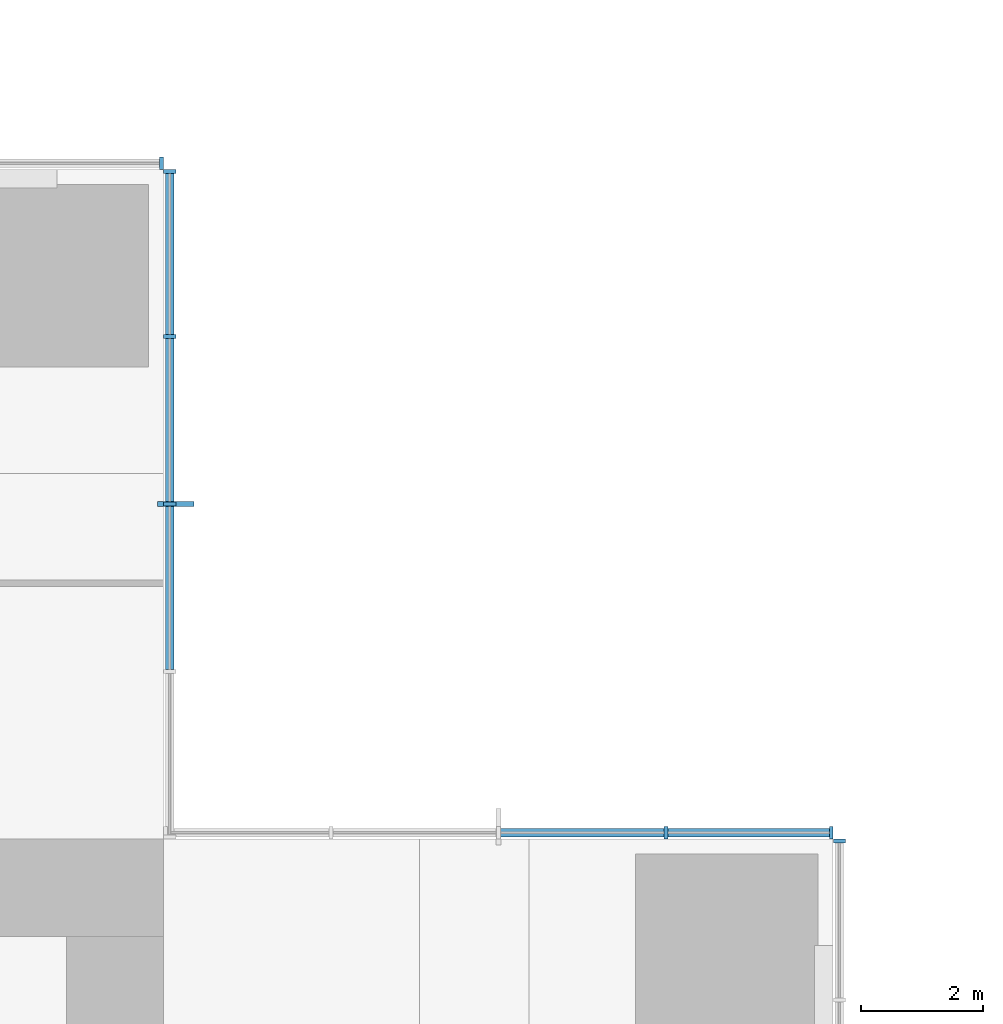
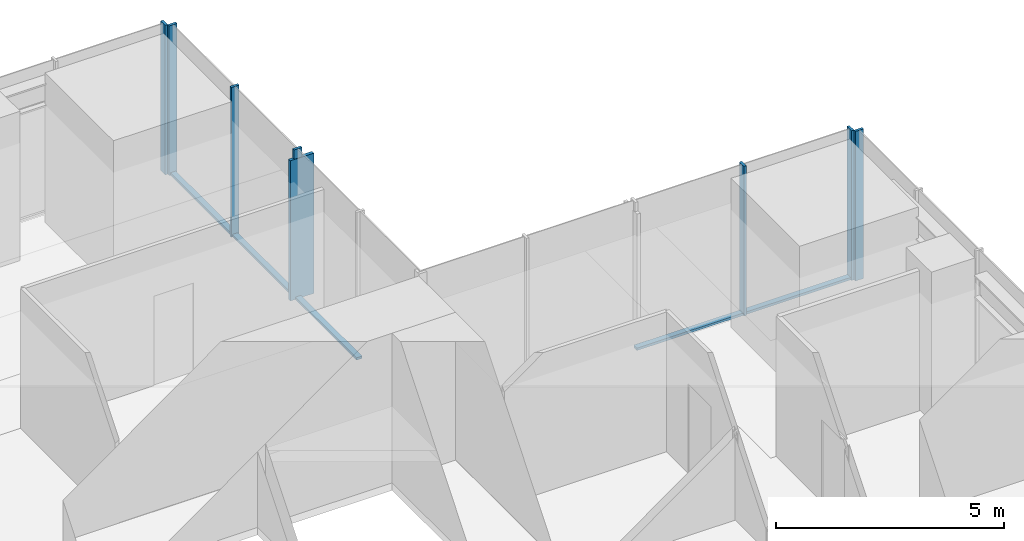
# One storey, part 6 of 13: 13 members, 4 elements without a shape of their own.
"""IFC4 building model written with IfcOpenShell, lengths in metres."""

import ifcopenshell
import ifcopenshell.guid

model = None  # the IFC model being written
_history = None  # IfcOwnerHistory: only IFC2X3 demands one
_inside = {}  # id of a spatial element -> (the spatial element, [elements in it])
_under = {}  # id of a project, library or spatial element -> (it, [spatial elements below it])
_declared = {}  # id of a project -> (the project, [libraries it declares])
_typed = {}  # id of a type object -> (the type object, [elements of that type])
_made_of = {}  # id of a material, layer set ... -> (it, [elements and type objects made of it])


def new_model(schema):
    """Start an empty IFC model of exactly this schema.

    Asked for "IFC4X3", IfcOpenShell would pick the latest addendum, in which some entities
    have other attributes; the version numbers below select the first issue.
    IFC2X3 requires an IfcOwnerHistory on every rooted entity: one is made here for all.
    """
    global model, _history
    if schema == "IFC4X3":
        model = ifcopenshell.file(schema_version=(4, 3, 0, 0))
    else:
        model = ifcopenshell.file(schema=schema)
    _inside.clear()
    _under.clear()
    _declared.clear()
    _typed.clear()
    _made_of.clear()
    _history = None
    if model.schema == "IFC2X3":
        org = make("IfcOrganization", Name="unknown")
        user = make(
            "IfcPersonAndOrganization",
            ThePerson=make("IfcPerson", FamilyName="unknown"),
            TheOrganization=org,
        )
        app = make(
            "IfcApplication",
            ApplicationDeveloper=org,
            Version="unknown",
            ApplicationFullName="unknown",
            ApplicationIdentifier="unknown",
        )
        _history = make(
            "IfcOwnerHistory",
            OwningUser=user,
            OwningApplication=app,
            ChangeAction="ADDED",
            CreationDate=0,
        )
    return model


def make(cls, **values):
    """One entity of the class cls with the attributes given. An attribute that is None is left unset."""
    return model.create_entity(
        cls, **{name: value for name, value in values.items() if value is not None}
    )


def rooted(cls, **values):
    """An entity with a GlobalId (a new one), such as an element, a storey or a relation."""
    return make(cls, GlobalId=ifcopenshell.guid.new(), OwnerHistory=_history, **values)


def si_unit(unit_type, name, prefix=None):
    """IfcSIUnit, for example si_unit("LENGTHUNIT", "METRE", prefix="MILLI")."""
    return make("IfcSIUnit", UnitType=unit_type, Prefix=prefix, Name=name)


def assignment(units):
    """IfcUnitAssignment: the units of a project."""
    return None if units is None else make("IfcUnitAssignment", Units=units)


def point(xyz):
    """IfcCartesianPoint."""
    return None if xyz is None else make("IfcCartesianPoint", Coordinates=xyz)


def direction(xyz):
    """IfcDirection."""
    return None if xyz is None else make("IfcDirection", DirectionRatios=xyz)


def frame(location, z_axis=None, x_axis=None):
    """IfcAxis2Placement3D, a coordinate frame: its origin and axes. An axis left out is left unset."""
    return make(
        "IfcAxis2Placement3D",
        Location=point(location),
        Axis=direction(z_axis),
        RefDirection=direction(x_axis),
    )


def frame_2d(location, x_axis=None):
    """IfcAxis2Placement2D, a coordinate frame in the plane: its origin and x axis."""
    return make(
        "IfcAxis2Placement2D", Location=point(location), RefDirection=direction(x_axis)
    )


def origin():
    """The frame at (0, 0, 0) with its axes left unset."""
    return frame((0.0, 0.0, 0.0))


def origin_2d():
    """The frame at (0, 0) in the plane with its x axis left unset."""
    return frame_2d((0.0, 0.0))


def place(relative_to, where):
    """IfcLocalPlacement: puts the frame where relative to a parent placement (None: the world)."""
    return make(
        "IfcLocalPlacement", PlacementRelTo=relative_to, RelativePlacement=where
    )


def context(
    kind, dimensions, precision=None, world=None, true_north=None, identifier=None
):
    """IfcGeometricRepresentationContext, for example the 3D "Model" context."""
    return make(
        "IfcGeometricRepresentationContext",
        ContextIdentifier=identifier,
        ContextType=kind,
        CoordinateSpaceDimension=dimensions,
        Precision=precision,
        WorldCoordinateSystem=world,
        TrueNorth=true_north,
    )


def subcontext(parent, identifier, kind, view, scale=None):
    """IfcGeometricRepresentationSubContext, for example "Body" below "Model"."""
    return make(
        "IfcGeometricRepresentationSubContext",
        ContextIdentifier=identifier,
        ContextType=kind,
        ParentContext=parent,
        TargetScale=scale,
        TargetView=view,
    )


def project(units=None, contexts=None):
    """IfcProject with its units and contexts."""
    return rooted(
        "IfcProject",
        Name="project",
        RepresentationContexts=contexts,
        UnitsInContext=assignment(units),
    )


def spatial(cls, under=None, at=None, **own):
    """A site, building, storey or space (cls), placed at a placement, below another one or the project."""
    s = rooted(cls, ObjectPlacement=at, **own)
    if under is not None:
        _under.setdefault(under.id(), (under, []))[1].append(s)
    return s


def profile(cls, at=None, kind="AREA", **sizes):
    """A parametric profile (cls). Its sizes go by their IFC names, for example OverallWidth=200.0."""
    return make(cls, ProfileType=kind, Position=at, **sizes)


def rectangle(**sizes):
    """IfcRectangleProfileDef."""
    return profile("IfcRectangleProfileDef", **sizes)


def extrude(swept, where, along, depth):
    """IfcExtrudedAreaSolid: the profile swept, set in the frame where, extruded along a direction by depth."""
    return make(
        "IfcExtrudedAreaSolid",
        SweptArea=swept,
        Position=where,
        ExtrudedDirection=direction(along),
        Depth=depth,
    )


def shape(context_of_items, identifier, shape_type, items):
    """IfcShapeRepresentation: the items that make up one representation, for example the "Body"."""
    return make(
        "IfcShapeRepresentation",
        ContextOfItems=context_of_items,
        RepresentationIdentifier=identifier,
        RepresentationType=shape_type,
        Items=items,
    )


def material(Name=None, Category=None):
    """IfcMaterial."""
    return make("IfcMaterial", Name=Name, Category=Category)


def material_profile(
    of_material, cross_section, Name=None, Category=None, Priority=None
):
    """IfcMaterialProfile: a cross section and its material."""
    return make(
        "IfcMaterialProfile",
        Name=Name,
        Material=of_material,
        Profile=cross_section,
        Priority=Priority,
        Category=Category,
    )


def profile_set(profiles, Name=None, composite=None):
    """IfcMaterialProfileSet."""
    return make(
        "IfcMaterialProfileSet",
        Name=Name,
        MaterialProfiles=profiles,
        CompositeProfile=composite,
    )


def made_of(thing, what):
    """Note that an element or type object is made of a material, layer set ...; save() writes the relation."""
    if what is not None:
        _made_of.setdefault(what.id(), (what, []))[1].append(thing)
    return thing


def type_object(cls, material=None, **own):
    """A type object (cls), such as IfcWallType, which elements share."""
    return made_of(rooted(cls, **own), material)


def element(
    cls,
    number,
    at=None,
    inside=None,
    cuts=None,
    type_object=None,
    material=None,
    context=None,
    identifier="Body",
    shape_type=None,
    held_by="IfcProductDefinitionShape",
    body=None,
    shapes=None,
    **own,
):
    """One element of the class cls, such as IfcWall. Its Tag is "e" and its number.

    at: its placement. inside: the storey or other place that contains it. cuts: it is an
    opening in that element (IfcRelVoidsElement). A single representation is given by context,
    identifier, shape_type and body (its items); several are given by shapes. held_by: the class
    of the entity that holds the representations. save() writes the other relations.
    """
    e = rooted(cls, Tag="e%d" % number, ObjectPlacement=at, **own)
    if body is not None:
        shapes = [shape(context, identifier, shape_type, body)]
    if shapes is not None:
        e.Representation = make(held_by, Representations=shapes)
    if inside is not None:
        _inside.setdefault(inside.id(), (inside, []))[1].append(e)
    if cuts is not None:
        rooted(
            "IfcRelVoidsElement", RelatingBuildingElement=cuts, RelatedOpeningElement=e
        )
    if type_object is not None:
        _typed.setdefault(type_object.id(), (type_object, []))[1].append(e)
    return made_of(e, material)


def aggregate(whole, parts):
    """IfcRelAggregates: a whole, such as a stair, and the parts it consists of."""
    return rooted("IfcRelAggregates", RelatingObject=whole, RelatedObjects=parts)


def save(model, path):
    """Write the relations noted so far, then the file.

    IfcRelAggregates (storeys below a building ...), IfcRelContainedInSpatialStructure (elements
    in a storey), IfcRelDefinesByType, IfcRelAssociatesMaterial and IfcRelDeclares: one each for
    every whole, place, type object, material and project.
    """
    for whole, parts in _under.values():
        aggregate(whole, parts)
    for where, things in _inside.values():
        rooted(
            "IfcRelContainedInSpatialStructure",
            RelatedElements=things,
            RelatingStructure=where,
        )
    for kind, things in _typed.values():
        rooted("IfcRelDefinesByType", RelatedObjects=things, RelatingType=kind)
    for what, things in _made_of.values():
        rooted("IfcRelAssociatesMaterial", RelatedObjects=things, RelatingMaterial=what)
    for by, libraries in _declared.values():
        rooted("IfcRelDeclares", RelatingContext=by, RelatedDefinitions=libraries)
    model.write(path)


model = new_model("IFC4")

# Units and contexts
model_context = context("Model", 3, precision=1e-05, world=origin(), true_north=direction((0.0, 1.0)))
body_context = subcontext(model_context, "Body", "Model", "MODEL_VIEW")
ifc_project = project(units=[si_unit("LENGTHUNIT", "METRE"), si_unit("AREAUNIT", "SQUARE_METRE"), si_unit("VOLUMEUNIT", "CUBIC_METRE"), si_unit("PLANEANGLEUNIT", "RADIAN"), si_unit("MASSUNIT", "GRAM", prefix="KILO")], contexts=[model_context])

# Site, building, storey
site_placement = place(None, origin())
site = spatial("IfcSite", under=ifc_project, at=site_placement, CompositionType="ELEMENT")
building_placement = place(site_placement, origin())
building = spatial("IfcBuilding", under=site, at=building_placement, Name="Svetlomir Tower", CompositionType="ELEMENT")
storey_placement = place(building_placement, frame((0.0, 0.0, 144.5)))
storey = spatial("IfcBuildingStorey", under=building, at=storey_placement, Name="L34", CompositionType="ELEMENT", Elevation=144.5)

# Curtain wall, member
ifc_material_1 = material(Name="Bronze anodised aluminium curtain wall", Category="aluminium")
curtain_wall_type = type_object("IfcCurtainWallType", Name="CURTAIN WALL CW1 TOWER OFFICE", PredefinedType="NOTDEFINED", material=ifc_material_1)
curtain_wall_1_placement = place(storey_placement, origin())
curtain_wall_1 = element("IfcCurtainWall", 1, at=curtain_wall_1_placement, inside=storey, type_object=curtain_wall_type, Name="Curtain wall CW1 L34", PredefinedType="NOTDEFINED")
ifc_material_2 = material(Name="Bronze anodised aluminium", Category="aluminium")
ifc_material_profile_1 = material_profile(ifc_material_2, rectangle(XDim=0.080078125, YDim=0.60009765625, at=origin_2d()), Name="FIN 80x600")
ifc_profile_set_1 = profile_set([ifc_material_profile_1], Name="Bronze anodised aluminium 6063-T6")
member_type_1 = type_object("IfcMemberType", Name="BRONZE FIN 80x600", PredefinedType="USERDEFINED", material=ifc_profile_set_1)
member_1_placement = place(storey_placement, frame((31.199951171875, 36.5, 0.0), z_axis=(0.0, 0.0, 1.0), x_axis=(0.0, 1.0, 0.0)))
member_1 = element("IfcMember", 2, at=member_1_placement, type_object=member_type_1, Name="Bronze fin L34", ObjectType="FIN", PredefinedType="USERDEFINED", context=body_context, shape_type="SweptSolid", body=[
    extrude(rectangle(XDim=0.080078125, YDim=0.60009765625, at=origin_2d()), origin(), (0.0, 0.0, 1.0), 3.75),
])

curtain_wall_2_placement = place(storey_placement, origin())
curtain_wall_2 = element("IfcCurtainWall", 3, at=curtain_wall_2_placement, inside=storey, type_object=curtain_wall_type, Name="Curtain wall CW1 L34", PredefinedType="NOTDEFINED")
ifc_material_3 = material(Name="Bronze anodised aluminium", Category="aluminium")
ifc_material_profile_2 = material_profile(ifc_material_3, rectangle(XDim=0.06494140625, YDim=0.199951171875, at=origin_2d()), Name="AL 65x200")
ifc_profile_set_2 = profile_set([ifc_material_profile_2], Name="Bronze anodised aluminium 6063-T6")
member_type_2 = type_object("IfcMemberType", Name="CW1 MULLION 65x200", PredefinedType="MULLION", material=ifc_profile_set_2)
member_2_placement = place(storey_placement, frame((42.10009765625, 30.967529296875, 0.0), z_axis=(0.0, 0.0, 1.0), x_axis=(0.0, 1.0, 0.0)))
member_2 = element("IfcMember", 4, at=member_2_placement, type_object=member_type_2, Name="CW1 mullion 5", PredefinedType="MULLION", context=body_context, shape_type="SweptSolid", body=[
    extrude(rectangle(XDim=0.06494140625, YDim=0.199951171875, at=origin_2d()), origin(), (0.0, 0.0, 1.0), 4.0),
])
aggregate(curtain_wall_2, [member_2])

# Curtain wall, members
curtain_wall_3_placement = place(storey_placement, origin())
curtain_wall_3 = element("IfcCurtainWall", 5, at=curtain_wall_3_placement, inside=storey, type_object=curtain_wall_type, Name="Curtain wall CW1 L34", PredefinedType="NOTDEFINED")
member_3_placement = place(storey_placement, frame((41.967529296875, 31.10009765625, 0.0), z_axis=(0.0, 0.0, 1.0), x_axis=(-1.0, 0.0, 0.0)))
member_3 = element("IfcMember", 6, at=member_3_placement, type_object=member_type_2, Name="CW1 mullion 1", PredefinedType="MULLION", context=body_context, shape_type="SweptSolid", body=[
    extrude(rectangle(XDim=0.06494140625, YDim=0.199951171875, at=origin_2d()), origin(), (0.0, 0.0, 1.0), 4.0),
])
member_4_placement = place(storey_placement, frame((39.25, 31.10009765625, 0.0), z_axis=(0.0, 0.0, 1.0), x_axis=(-1.0, 0.0, 0.0)))
member_4 = element("IfcMember", 7, at=member_4_placement, type_object=member_type_2, Name="CW1 mullion 2", PredefinedType="MULLION", context=body_context, shape_type="SweptSolid", body=[
    extrude(rectangle(XDim=0.06494140625, YDim=0.199951171875, at=origin_2d()), origin(), (0.0, 0.0, 1.0), 4.0),
])

# Member
member_5_placement = place(storey_placement, frame((31.10009765625, 36.5, 0.0), z_axis=(0.0, 0.0, 1.0), x_axis=(0.0, 1.0, 0.0)))
member_5 = element("IfcMember", 8, at=member_5_placement, type_object=member_type_2, Name="CW1 mullion 3", PredefinedType="MULLION", context=body_context, shape_type="SweptSolid", body=[
    extrude(rectangle(XDim=0.06494140625, YDim=0.199951171875, at=origin_2d()), origin(), (0.0, 0.0, 1.0), 4.0),
])

member_6_placement = place(storey_placement, frame((31.10009765625, 39.25, 0.0), z_axis=(0.0, 0.0, 1.0), x_axis=(0.0, 1.0, 0.0)))
member_6 = element("IfcMember", 9, at=member_6_placement, type_object=member_type_2, Name="CW1 mullion 4", PredefinedType="MULLION", context=body_context, shape_type="SweptSolid", body=[
    extrude(rectangle(XDim=0.06494140625, YDim=0.199951171875, at=origin_2d()), origin(), (0.0, 0.0, 1.0), 4.0),
])

member_7_placement = place(storey_placement, frame((31.10009765625, 41.967529296875, 0.0), z_axis=(0.0, 0.0, 1.0), x_axis=(0.0, 1.0, 0.0)))
member_7 = element("IfcMember", 10, at=member_7_placement, type_object=member_type_2, Name="CW1 mullion 5", PredefinedType="MULLION", context=body_context, shape_type="SweptSolid", body=[
    extrude(rectangle(XDim=0.06494140625, YDim=0.199951171875, at=origin_2d()), origin(), (0.0, 0.0, 1.0), 4.0),
])

# Curtain wall, member
curtain_wall_4_placement = place(storey_placement, origin())
curtain_wall_4 = element("IfcCurtainWall", 11, at=curtain_wall_4_placement, inside=storey, type_object=curtain_wall_type, Name="Curtain wall CW1 L34", PredefinedType="NOTDEFINED")
member_8_placement = place(storey_placement, frame((30.967529296875, 42.10009765625, 0.0), z_axis=(0.0, 0.0, 1.0), x_axis=(-1.0, 0.0, 0.0)))
member_8 = element("IfcMember", 12, at=member_8_placement, type_object=member_type_2, Name="CW1 mullion 1", PredefinedType="MULLION", context=body_context, shape_type="SweptSolid", body=[
    extrude(rectangle(XDim=0.06494140625, YDim=0.199951171875, at=origin_2d()), origin(), (0.0, 0.0, 1.0), 4.0),
])
aggregate(curtain_wall_4, [member_8])

# Member
ifc_material_4 = material(Name="Bronze anodised aluminium", Category="aluminium")
ifc_material_profile_3 = material_profile(ifc_material_4, rectangle(XDim=0.139892578125, YDim=0.06494140625, at=origin_2d()), Name="AL 140x65")
ifc_profile_set_3 = profile_set([ifc_material_profile_3], Name="Bronze anodised aluminium 6063-T6")
member_type_3 = type_object("IfcMemberType", Name="CW1 TRANSOM 65x140", PredefinedType="USERDEFINED", material=ifc_profile_set_3)
member_9_placement = place(storey_placement, frame((41.93505859375, 31.10009765625, 0.032470703125), z_axis=(-1.0, 0.0, 0.0), x_axis=(0.0, -1.0, 0.0)))
member_9 = element("IfcMember", 13, at=member_9_placement, type_object=member_type_3, Name="CW1 transom 1.1", ObjectType="TRANSOM", PredefinedType="USERDEFINED", context=body_context, shape_type="SweptSolid", body=[
    extrude(rectangle(XDim=0.139892578125, YDim=0.06494140625, at=origin_2d()), origin(), (0.0, 0.0, 1.0), 2.652587890625),
])

member_10_placement = place(storey_placement, frame((39.217529296875, 31.10009765625, 0.032470703125), z_axis=(-1.0, 0.0, 0.0), x_axis=(0.0, -1.0, 0.0)))
member_10 = element("IfcMember", 14, at=member_10_placement, type_object=member_type_3, Name="CW1 transom 2.1", ObjectType="TRANSOM", PredefinedType="USERDEFINED", context=body_context, shape_type="SweptSolid", body=[
    extrude(rectangle(XDim=0.139892578125, YDim=0.06494140625, at=origin_2d()), origin(), (0.0, 0.0, 1.0), 2.68505859375),
])

aggregate(curtain_wall_3, [member_3, member_4, member_9, member_10])

member_11_placement = place(storey_placement, frame((31.10009765625, 33.782470703125, 0.032470703125), z_axis=(0.0, 1.0, 0.0), x_axis=(-1.0, 0.0, 0.0)))
member_11 = element("IfcMember", 15, at=member_11_placement, type_object=member_type_3, Name="CW1 transom 2.1", ObjectType="TRANSOM", PredefinedType="USERDEFINED", context=body_context, shape_type="SweptSolid", body=[
    extrude(rectangle(XDim=0.139892578125, YDim=0.06494140625, at=origin_2d()), origin(), (0.0, 0.0, 1.0), 2.68505859375),
])

member_12_placement = place(storey_placement, frame((31.10009765625, 36.532470703125, 0.032470703125), z_axis=(0.0, 1.0, 0.0), x_axis=(-1.0, 0.0, 0.0)))
member_12 = element("IfcMember", 16, at=member_12_placement, type_object=member_type_3, Name="CW1 transom 3.1", ObjectType="TRANSOM", PredefinedType="USERDEFINED", context=body_context, shape_type="SweptSolid", body=[
    extrude(rectangle(XDim=0.139892578125, YDim=0.06494140625, at=origin_2d()), origin(), (0.0, 0.0, 1.0), 2.68505859375),
])

member_13_placement = place(storey_placement, frame((31.10009765625, 39.282470703125, 0.032470703125), z_axis=(0.0, 1.0, 0.0), x_axis=(-1.0, 0.0, 0.0)))
member_13 = element("IfcMember", 17, at=member_13_placement, type_object=member_type_3, Name="CW1 transom 4.1", ObjectType="TRANSOM", PredefinedType="USERDEFINED", context=body_context, shape_type="SweptSolid", body=[
    extrude(rectangle(XDim=0.139892578125, YDim=0.06494140625, at=origin_2d()), origin(), (0.0, 0.0, 1.0), 2.652587890625),
])

aggregate(curtain_wall_1, [member_5, member_6, member_7, member_11, member_12, member_13, member_1])

save(model, "model.ifc")
